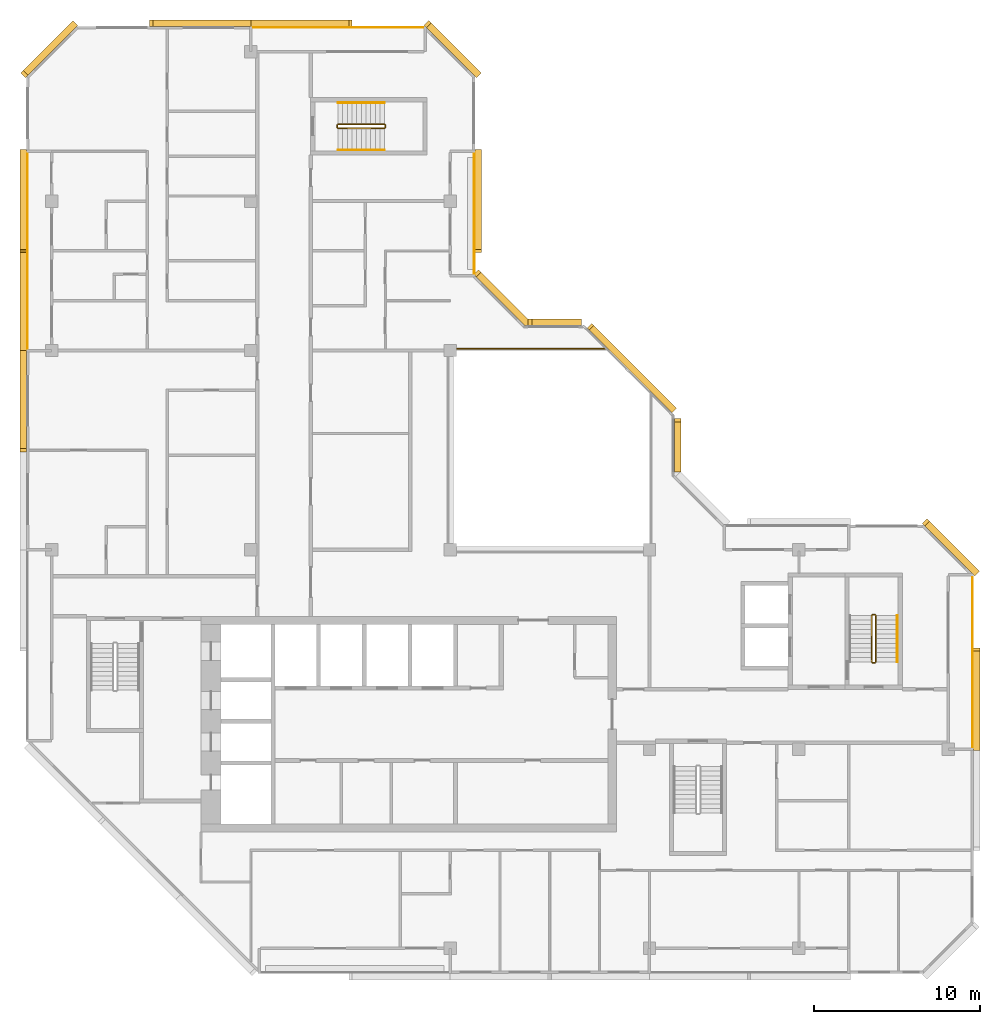
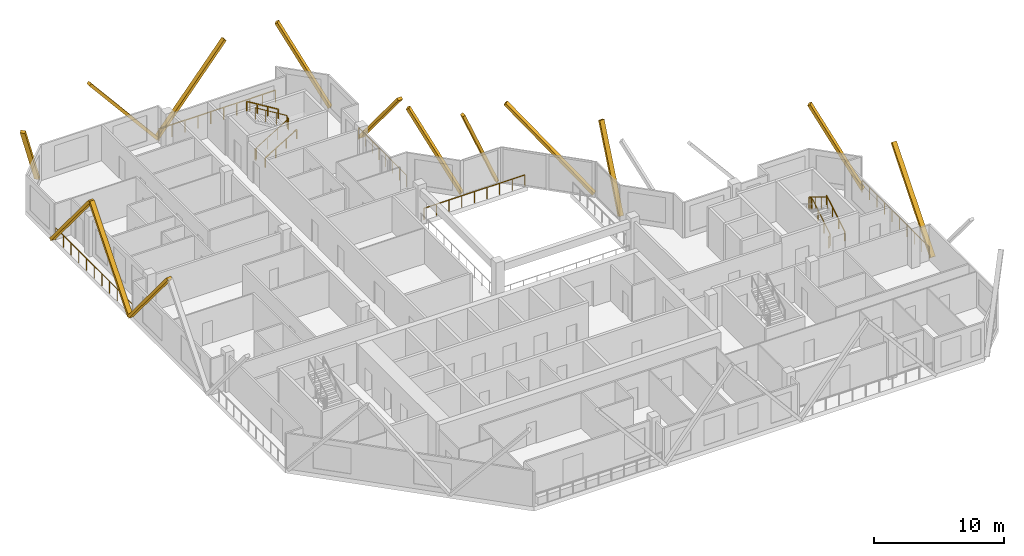
# One storey, part 12 of 12: 14 coverings, 10 railings.
"""IFC4 building model written with IfcOpenShell, lengths in metres."""

from ifc_helpers import new_model, si_unit, direction, frame, origin, origin_2d, place, context, subcontext, project, spatial, rectangle, extrude, material, material_profile, profile_set, type_object, element, save


model = new_model("IFC4")

# Units and contexts
model_context = context("Model", 3, precision=1e-05, world=origin(), true_north=direction((0.0, 1.0)))
body_context = subcontext(model_context, "Body", "Model", "MODEL_VIEW")
ifc_project = project(units=[si_unit("LENGTHUNIT", "METRE"), si_unit("AREAUNIT", "SQUARE_METRE"), si_unit("VOLUMEUNIT", "CUBIC_METRE"), si_unit("PLANEANGLEUNIT", "RADIAN"), si_unit("MASSUNIT", "GRAM", prefix="KILO")], contexts=[model_context])

# Site, building, storey
site_placement = place(None, origin())
site = spatial("IfcSite", under=ifc_project, at=site_placement, CompositionType="ELEMENT")
building_placement = place(site_placement, origin())
building = spatial("IfcBuilding", under=site, at=building_placement, Name="Chenar Terraces", CompositionType="ELEMENT")
storey_placement = place(building_placement, frame((0.0, 0.0, 346.39990234375)))
storey = spatial("IfcBuildingStorey", under=building, at=storey_placement, Name="L80", CompositionType="ELEMENT", Elevation=346.39990234375)

# Railings
ifc_material_1 = material(Name="Powder-coated steel", Category="steel")
railing_type_1 = type_object("IfcRailingType", Name="Guard 1100 steel rail with glass infill", PredefinedType="GUARDRAIL", material=ifc_material_1)
railing_1_placement = place(storey_placement, frame((24.425048828125, 36.10009765625, 0.0)))
element("IfcRailing", 1, at=railing_1_placement, inside=storey, type_object=railing_type_1, Name="Guard L80-2", PredefinedType="GUARDRAIL", context=body_context, shape_type="SweptSolid", body=[
    extrude(rectangle(XDim=0.06005859375, YDim=0.06005859375, at=origin_2d()), frame((0.0, 0.0, 1.070068359375), z_axis=(1.0, 0.0, 0.0), x_axis=(0.0, 1.0, 0.0)), (0.0, 0.0, 1.0), 8.974853515625),
    extrude(rectangle(XDim=0.050048828125, YDim=0.050048828125, at=origin_2d()), origin(), (0.0, 0.0, 1.0), 1.0400390625),
    extrude(rectangle(XDim=0.050048828125, YDim=0.050048828125, at=origin_2d()), frame((1.121826171875, 0.0, 0.0)), (0.0, 0.0, 1.0), 1.0400390625),
    extrude(rectangle(XDim=0.050048828125, YDim=0.050048828125, at=origin_2d()), frame((2.24365234375, 0.0, 0.0)), (0.0, 0.0, 1.0), 1.0400390625),
    extrude(rectangle(XDim=0.050048828125, YDim=0.050048828125, at=origin_2d()), frame((3.365478515625, 0.0, 0.0)), (0.0, 0.0, 1.0), 1.0400390625),
    extrude(rectangle(XDim=0.050048828125, YDim=0.050048828125, at=origin_2d()), frame((4.4873046875, 0.0, 0.0)), (0.0, 0.0, 1.0), 1.0400390625),
    extrude(rectangle(XDim=0.050048828125, YDim=0.050048828125, at=origin_2d()), frame((5.609375, 0.0, 0.0)), (0.0, 0.0, 1.0), 1.0400390625),
    extrude(rectangle(XDim=0.050048828125, YDim=0.050048828125, at=origin_2d()), frame((6.731201171875, 0.0, 0.0)), (0.0, 0.0, 1.0), 1.0400390625),
    extrude(rectangle(XDim=0.050048828125, YDim=0.050048828125, at=origin_2d()), frame((7.85302734375, 0.0, 0.0)), (0.0, 0.0, 1.0), 1.0400390625),
    extrude(rectangle(XDim=0.050048828125, YDim=0.050048828125, at=origin_2d()), frame((8.974853515625, 0.0, 0.0)), (0.0, 0.0, 1.0), 1.0400390625),
])
ifc_material_2 = material(Name="Stainless steel and glass", Category="steel")
railing_type_2 = type_object("IfcRailingType", Name="Loggia guard 1150", PredefinedType="GUARDRAIL", material=ifc_material_2)
railing_2_placement = place(storey_placement, frame((25.449951171875, 40.574951171875, 0.0)))
element("IfcRailing", 2, at=railing_2_placement, inside=storey, type_object=railing_type_2, Name="Loggia guard", PredefinedType="GUARDRAIL", context=body_context, shape_type="SweptSolid", body=[
    extrude(rectangle(XDim=0.048095703125, YDim=0.048095703125, at=origin_2d()), frame((0.0, 0.0, 1.1259765625), z_axis=(0.0, 1.0, 0.0), x_axis=(-1.0, 0.0, 0.0)), (0.0, 0.0, 1.0), 7.35009765625),
    extrude(rectangle(XDim=0.0419921875, YDim=0.0419921875, at=origin_2d()), origin(), (0.0, 0.0, 1.0), 1.101806640625),
    extrude(rectangle(XDim=0.0419921875, YDim=0.0419921875, at=origin_2d()), frame((0.0, 1.050048828125, 0.0)), (0.0, 0.0, 1.0), 1.101806640625),
    extrude(rectangle(XDim=0.0419921875, YDim=0.0419921875, at=origin_2d()), frame((0.0, 2.10009765625, 0.0)), (0.0, 0.0, 1.0), 1.101806640625),
    extrude(rectangle(XDim=0.0419921875, YDim=0.0419921875, at=origin_2d()), frame((0.0, 3.150146484375, 0.0)), (0.0, 0.0, 1.0), 1.101806640625),
    extrude(rectangle(XDim=0.0419921875, YDim=0.0419921875, at=origin_2d()), frame((0.0, 4.199951171875, 0.0)), (0.0, 0.0, 1.0), 1.101806640625),
    extrude(rectangle(XDim=0.0419921875, YDim=0.0419921875, at=origin_2d()), frame((0.0, 5.25, 0.0)), (0.0, 0.0, 1.0), 1.101806640625),
    extrude(rectangle(XDim=0.0419921875, YDim=0.0419921875, at=origin_2d()), frame((0.0, 6.300048828125, 0.0)), (0.0, 0.0, 1.0), 1.101806640625),
    extrude(rectangle(XDim=0.0419921875, YDim=0.0419921875, at=origin_2d()), frame((0.0, 7.35009765625, 0.0)), (0.0, 0.0, 1.0), 1.101806640625),
])
railing_3_placement = place(storey_placement, frame((55.449951171875, 12.074951171875, 0.0)))
element("IfcRailing", 3, at=railing_3_placement, inside=storey, type_object=railing_type_2, Name="Loggia guard", PredefinedType="GUARDRAIL", context=body_context, shape_type="SweptSolid", body=[
    extrude(rectangle(XDim=0.048095703125, YDim=0.048095703125, at=origin_2d()), frame((0.0, 0.0, 1.1259765625), z_axis=(0.0, 1.0, 0.0), x_axis=(-1.0, 0.0, 0.0)), (0.0, 0.0, 1.0), 10.35009765625),
    extrude(rectangle(XDim=0.0419921875, YDim=0.0419921875, at=origin_2d()), origin(), (0.0, 0.0, 1.0), 1.101806640625),
    extrude(rectangle(XDim=0.0419921875, YDim=0.0419921875, at=origin_2d()), frame((0.0, 1.14990234375, 0.0)), (0.0, 0.0, 1.0), 1.101806640625),
    extrude(rectangle(XDim=0.0419921875, YDim=0.0419921875, at=origin_2d()), frame((0.0, 2.300048828125, 0.0)), (0.0, 0.0, 1.0), 1.101806640625),
    extrude(rectangle(XDim=0.0419921875, YDim=0.0419921875, at=origin_2d()), frame((0.0, 3.449951171875, 0.0)), (0.0, 0.0, 1.0), 1.101806640625),
    extrude(rectangle(XDim=0.0419921875, YDim=0.0419921875, at=origin_2d()), frame((0.0, 4.60009765625, 0.0)), (0.0, 0.0, 1.0), 1.101806640625),
    extrude(rectangle(XDim=0.0419921875, YDim=0.0419921875, at=origin_2d()), frame((0.0, 5.75, 0.0)), (0.0, 0.0, 1.0), 1.101806640625),
    extrude(rectangle(XDim=0.0419921875, YDim=0.0419921875, at=origin_2d()), frame((0.0, 6.900146484375, 0.0)), (0.0, 0.0, 1.0), 1.101806640625),
    extrude(rectangle(XDim=0.0419921875, YDim=0.0419921875, at=origin_2d()), frame((0.0, 8.050048828125, 0.0)), (0.0, 0.0, 1.0), 1.101806640625),
    extrude(rectangle(XDim=0.0419921875, YDim=0.0419921875, at=origin_2d()), frame((0.0, 9.2001953125, 0.0)), (0.0, 0.0, 1.0), 1.101806640625),
    extrude(rectangle(XDim=0.0419921875, YDim=0.0419921875, at=origin_2d()), frame((0.0, 10.35009765625, 0.0)), (0.0, 0.0, 1.0), 1.101806640625),
])
railing_4_placement = place(storey_placement, frame((22.425048828125, 55.449951171875, 0.0)))
element("IfcRailing", 4, at=railing_4_placement, inside=storey, type_object=railing_type_2, Name="Loggia guard", PredefinedType="GUARDRAIL", context=body_context, shape_type="SweptSolid", body=[
    extrude(rectangle(XDim=0.048095703125, YDim=0.048095703125, at=origin_2d()), frame((0.0, 0.0, 1.1259765625), z_axis=(-1.0, 0.0, 0.0), x_axis=(0.0, -1.0, 0.0)), (0.0, 0.0, 1.0), 10.35009765625),
    extrude(rectangle(XDim=0.0419921875, YDim=0.0419921875, at=origin_2d()), origin(), (0.0, 0.0, 1.0), 1.101806640625),
    extrude(rectangle(XDim=0.0419921875, YDim=0.0419921875, at=origin_2d()), frame((-1.14990234375, 0.0, 0.0)), (0.0, 0.0, 1.0), 1.101806640625),
    extrude(rectangle(XDim=0.0419921875, YDim=0.0419921875, at=origin_2d()), frame((-2.300048828125, 0.0, 0.0)), (0.0, 0.0, 1.0), 1.101806640625),
    extrude(rectangle(XDim=0.0419921875, YDim=0.0419921875, at=origin_2d()), frame((-3.449951171875, 0.0, 0.0)), (0.0, 0.0, 1.0), 1.101806640625),
    extrude(rectangle(XDim=0.0419921875, YDim=0.0419921875, at=origin_2d()), frame((-4.60009765625, 0.0, 0.0)), (0.0, 0.0, 1.0), 1.101806640625),
    extrude(rectangle(XDim=0.0419921875, YDim=0.0419921875, at=origin_2d()), frame((-5.75, 0.0, 0.0)), (0.0, 0.0, 1.0), 1.101806640625),
    extrude(rectangle(XDim=0.0419921875, YDim=0.0419921875, at=origin_2d()), frame((-6.900146484375, 0.0, 0.0)), (0.0, 0.0, 1.0), 1.101806640625),
    extrude(rectangle(XDim=0.0419921875, YDim=0.0419921875, at=origin_2d()), frame((-8.050048828125, 0.0, 0.0)), (0.0, 0.0, 1.0), 1.101806640625),
    extrude(rectangle(XDim=0.0419921875, YDim=0.0419921875, at=origin_2d()), frame((-9.2001953125, 0.0, 0.0)), (0.0, 0.0, 1.0), 1.101806640625),
    extrude(rectangle(XDim=0.0419921875, YDim=0.0419921875, at=origin_2d()), frame((-10.35009765625, 0.0, 0.0)), (0.0, 0.0, 1.0), 1.101806640625),
])
railing_5_placement = place(storey_placement, frame((-1.449951171875, 47.925048828125, 0.0)))
element("IfcRailing", 5, at=railing_5_placement, inside=storey, type_object=railing_type_2, Name="Loggia guard", PredefinedType="GUARDRAIL", context=body_context, shape_type="SweptSolid", body=[
    extrude(rectangle(XDim=0.048095703125, YDim=0.048095703125, at=origin_2d()), frame((0.0, 0.0, 1.1259765625), z_axis=(0.0, -1.0, 0.0), x_axis=(1.0, 0.0, 0.0)), (0.0, 0.0, 1.0), 11.85009765625),
    extrude(rectangle(XDim=0.0419921875, YDim=0.0419921875, at=origin_2d()), origin(), (0.0, 0.0, 1.0), 1.101806640625),
    extrude(rectangle(XDim=0.0419921875, YDim=0.0419921875, at=origin_2d()), frame((0.0, -1.18505859375, 0.0)), (0.0, 0.0, 1.0), 1.101806640625),
    extrude(rectangle(XDim=0.0419921875, YDim=0.0419921875, at=origin_2d()), frame((0.0, -2.3701171875, 0.0)), (0.0, 0.0, 1.0), 1.101806640625),
    extrude(rectangle(XDim=0.0419921875, YDim=0.0419921875, at=origin_2d()), frame((0.0, -3.554931640625, 0.0)), (0.0, 0.0, 1.0), 1.101806640625),
    extrude(rectangle(XDim=0.0419921875, YDim=0.0419921875, at=origin_2d()), frame((0.0, -4.739990234375, 0.0)), (0.0, 0.0, 1.0), 1.101806640625),
    extrude(rectangle(XDim=0.0419921875, YDim=0.0419921875, at=origin_2d()), frame((0.0, -5.925048828125, 0.0)), (0.0, 0.0, 1.0), 1.101806640625),
    extrude(rectangle(XDim=0.0419921875, YDim=0.0419921875, at=origin_2d()), frame((0.0, -7.110107421875, 0.0)), (0.0, 0.0, 1.0), 1.101806640625),
    extrude(rectangle(XDim=0.0419921875, YDim=0.0419921875, at=origin_2d()), frame((0.0, -8.295166015625, 0.0)), (0.0, 0.0, 1.0), 1.101806640625),
    extrude(rectangle(XDim=0.0419921875, YDim=0.0419921875, at=origin_2d()), frame((0.0, -9.47998046875, 0.0)), (0.0, 0.0, 1.0), 1.101806640625),
    extrude(rectangle(XDim=0.0419921875, YDim=0.0419921875, at=origin_2d()), frame((0.0, -10.6650390625, 0.0)), (0.0, 0.0, 1.0), 1.101806640625),
    extrude(rectangle(XDim=0.0419921875, YDim=0.0419921875, at=origin_2d()), frame((0.0, -11.85009765625, 0.0)), (0.0, 0.0, 1.0), 1.101806640625),
])
ifc_material_3 = material(Name="Powder-coated steel", Category="steel")
railing_type_3 = type_object("IfcRailingType", Name="Stair guard 1100", PredefinedType="GUARDRAIL", material=ifc_material_3)
railing_6_placement = place(storey_placement, frame((49.375, 17.25, 3.75)))
element("IfcRailing", 6, at=railing_6_placement, inside=storey, type_object=railing_type_3, Name="L80 ST3 stair guard 1", PredefinedType="GUARDRAIL", context=body_context, shape_type="SweptSolid", body=[
    extrude(rectangle(XDim=0.048095703125, YDim=0.048095703125, at=origin_2d()), frame((0.0, 0.0, 1.076171875), z_axis=(0.0, 0.854202870247, -0.519939858505), x_axis=(-1.0, 0.0, 0.0)), (0.0, 0.0, 1.0), 3.278076171875),
    extrude(rectangle(XDim=0.048095703125, YDim=0.048095703125, at=origin_2d()), frame((0.0, 2.800048828125, -0.62841796875), z_axis=(0.270899902878, 0.270899902878, -0.923702595667), x_axis=(-0.707106781187, 0.707106781187, 0.0)), (0.0, 0.0, 1.0), 0.184814453125),
    extrude(rectangle(XDim=0.048095703125, YDim=0.048095703125, at=origin_2d()), frame((0.050048828125, 2.85009765625, -0.798828125), z_axis=(1.0, 0.0, 0.0), x_axis=(0.0, 1.0, 0.0)), (0.0, 0.0, 1.0), 0.14990234375),
    extrude(rectangle(XDim=0.048095703125, YDim=0.048095703125, at=origin_2d()), frame((0.199951171875, 2.85009765625, -0.798828125), z_axis=(0.707106781187, -0.707106781187, 0.0), x_axis=(0.707106781187, 0.707106781187, 0.0)), (0.0, 0.0, 1.0), 0.07080078125),
    extrude(rectangle(XDim=0.048095703125, YDim=0.048095703125, at=origin_2d()), frame((0.25, 2.800048828125, -0.798828125), z_axis=(0.0, -0.854202870247, -0.519939858505), x_axis=(1.0, 0.0, 0.0)), (0.0, 0.0, 1.0), 3.278076171875),
    extrude(rectangle(XDim=0.048095703125, YDim=0.048095703125, at=origin_2d()), frame((0.25, 0.0, -2.50341796875), z_axis=(-0.270899902878, -0.270899902878, -0.923702595667), x_axis=(0.707106781187, -0.707106781187, 0.0)), (0.0, 0.0, 1.0), 0.184814453125),
    extrude(rectangle(XDim=0.048095703125, YDim=0.048095703125, at=origin_2d()), frame((0.199951171875, -0.050048828125, -2.673828125), z_axis=(-1.0, 0.0, 0.0), x_axis=(0.0, -1.0, 0.0)), (0.0, 0.0, 1.0), 0.14990234375),
    extrude(rectangle(XDim=0.0419921875, YDim=0.0419921875, at=origin_2d()), origin(), (0.0, 0.0, 1.0), 1.052001953125),
    extrude(rectangle(XDim=0.0419921875, YDim=0.0419921875, at=origin_2d()), frame((0.0, 0.933349609375, -0.568115234375)), (0.0, 0.0, 1.0), 1.052001953125),
    extrude(rectangle(XDim=0.0419921875, YDim=0.0419921875, at=origin_2d()), frame((0.0, 1.86669921875, -1.13623046875)), (0.0, 0.0, 1.0), 1.052001953125),
    extrude(rectangle(XDim=0.0419921875, YDim=0.0419921875, at=origin_2d()), frame((0.0, 2.800048828125, -1.704345703125)), (0.0, 0.0, 1.0), 1.052001953125),
    extrude(rectangle(XDim=0.0419921875, YDim=0.0419921875, at=origin_2d()), frame((0.050048828125, 2.85009765625, -1.875)), (0.0, 0.0, 1.0), 1.052001953125),
    extrude(rectangle(XDim=0.0419921875, YDim=0.0419921875, at=origin_2d()), frame((0.199951171875, 2.85009765625, -1.875)), (0.0, 0.0, 1.0), 1.052001953125),
    extrude(rectangle(XDim=0.0419921875, YDim=0.0419921875, at=origin_2d()), frame((0.25, 2.800048828125, -1.875)), (0.0, 0.0, 1.0), 1.052001953125),
    extrude(rectangle(XDim=0.0419921875, YDim=0.0419921875, at=origin_2d()), frame((0.25, 1.86669921875, -2.443115234375)), (0.0, 0.0, 1.0), 1.052001953125),
    extrude(rectangle(XDim=0.0419921875, YDim=0.0419921875, at=origin_2d()), frame((0.25, 0.933349609375, -3.01123046875)), (0.0, 0.0, 1.0), 1.052001953125),
    extrude(rectangle(XDim=0.0419921875, YDim=0.0419921875, at=origin_2d()), frame((0.25, 0.0, -3.579345703125)), (0.0, 0.0, 1.0), 1.052001953125),
    extrude(rectangle(XDim=0.0419921875, YDim=0.0419921875, at=origin_2d()), frame((0.199951171875, -0.050048828125, -3.75)), (0.0, 0.0, 1.0), 1.052001953125),
    extrude(rectangle(XDim=0.0419921875, YDim=0.0419921875, at=origin_2d()), frame((0.050048828125, -0.050048828125, -3.75)), (0.0, 0.0, 1.0), 1.052001953125),
])
railing_7_placement = place(storey_placement, frame((17.25, 49.625, 3.75)))
element("IfcRailing", 7, at=railing_7_placement, inside=storey, type_object=railing_type_3, Name="L80 ST4 stair guard 1", PredefinedType="GUARDRAIL", context=body_context, shape_type="SweptSolid", body=[
    extrude(rectangle(XDim=0.048095703125, YDim=0.048095703125, at=origin_2d()), frame((0.0, 0.0, 1.076171875), z_axis=(0.854202870247, 0.0, -0.519939858505), x_axis=(0.0, 1.0, 0.0)), (0.0, 0.0, 1.0), 3.278076171875),
    extrude(rectangle(XDim=0.048095703125, YDim=0.048095703125, at=origin_2d()), frame((2.800048828125, 0.0, -0.62841796875), z_axis=(0.270899902878, -0.270899902878, -0.923702595667), x_axis=(0.707106781187, 0.707106781187, 0.0)), (0.0, 0.0, 1.0), 0.184814453125),
    extrude(rectangle(XDim=0.048095703125, YDim=0.048095703125, at=origin_2d()), frame((2.85009765625, -0.050048828125, -0.798828125), z_axis=(0.0, -1.0, 0.0), x_axis=(1.0, 0.0, 0.0)), (0.0, 0.0, 1.0), 0.14990234375),
    extrude(rectangle(XDim=0.048095703125, YDim=0.048095703125, at=origin_2d()), frame((2.85009765625, -0.199951171875, -0.798828125), z_axis=(-0.707106781187, -0.707106781187, 0.0), x_axis=(0.707106781187, -0.707106781187, 0.0)), (0.0, 0.0, 1.0), 0.07080078125),
    extrude(rectangle(XDim=0.048095703125, YDim=0.048095703125, at=origin_2d()), frame((2.800048828125, -0.25, -0.798828125), z_axis=(-0.854202870247, 0.0, -0.519939858505), x_axis=(0.0, -1.0, 0.0)), (0.0, 0.0, 1.0), 3.278076171875),
    extrude(rectangle(XDim=0.048095703125, YDim=0.048095703125, at=origin_2d()), frame((0.0, -0.25, -2.50341796875), z_axis=(-0.270899902878, 0.270899902878, -0.923702595667), x_axis=(-0.707106781187, -0.707106781187, 0.0)), (0.0, 0.0, 1.0), 0.184814453125),
    extrude(rectangle(XDim=0.048095703125, YDim=0.048095703125, at=origin_2d()), frame((-0.050048828125, -0.199951171875, -2.673828125), z_axis=(0.0, 1.0, 0.0), x_axis=(-1.0, 0.0, 0.0)), (0.0, 0.0, 1.0), 0.14990234375),
    extrude(rectangle(XDim=0.0419921875, YDim=0.0419921875, at=origin_2d()), origin(), (0.0, 0.0, 1.0), 1.052001953125),
    extrude(rectangle(XDim=0.0419921875, YDim=0.0419921875, at=origin_2d()), frame((0.933349609375, 0.0, -0.568115234375)), (0.0, 0.0, 1.0), 1.052001953125),
    extrude(rectangle(XDim=0.0419921875, YDim=0.0419921875, at=origin_2d()), frame((1.86669921875, 0.0, -1.13623046875)), (0.0, 0.0, 1.0), 1.052001953125),
    extrude(rectangle(XDim=0.0419921875, YDim=0.0419921875, at=origin_2d()), frame((2.800048828125, 0.0, -1.704345703125)), (0.0, 0.0, 1.0), 1.052001953125),
    extrude(rectangle(XDim=0.0419921875, YDim=0.0419921875, at=origin_2d()), frame((2.85009765625, -0.050048828125, -1.875)), (0.0, 0.0, 1.0), 1.052001953125),
    extrude(rectangle(XDim=0.0419921875, YDim=0.0419921875, at=origin_2d()), frame((2.85009765625, -0.199951171875, -1.875)), (0.0, 0.0, 1.0), 1.052001953125),
    extrude(rectangle(XDim=0.0419921875, YDim=0.0419921875, at=origin_2d()), frame((2.800048828125, -0.25, -1.875)), (0.0, 0.0, 1.0), 1.052001953125),
    extrude(rectangle(XDim=0.0419921875, YDim=0.0419921875, at=origin_2d()), frame((1.86669921875, -0.25, -2.443115234375)), (0.0, 0.0, 1.0), 1.052001953125),
    extrude(rectangle(XDim=0.0419921875, YDim=0.0419921875, at=origin_2d()), frame((0.933349609375, -0.25, -3.01123046875)), (0.0, 0.0, 1.0), 1.052001953125),
    extrude(rectangle(XDim=0.0419921875, YDim=0.0419921875, at=origin_2d()), frame((0.0, -0.25, -3.579345703125)), (0.0, 0.0, 1.0), 1.052001953125),
    extrude(rectangle(XDim=0.0419921875, YDim=0.0419921875, at=origin_2d()), frame((-0.050048828125, -0.199951171875, -3.75)), (0.0, 0.0, 1.0), 1.052001953125),
    extrude(rectangle(XDim=0.0419921875, YDim=0.0419921875, at=origin_2d()), frame((-0.050048828125, -0.050048828125, -3.75)), (0.0, 0.0, 1.0), 1.052001953125),
])
ifc_material_4 = material(Name="Powder-coated steel", Category="steel")
railing_type_4 = type_object("IfcRailingType", Name="Stair handrail 900", PredefinedType="HANDRAIL", material=ifc_material_4)
railing_8_placement = place(storey_placement, frame((50.925048828125, 17.25, 0.170654296875)))
element("IfcRailing", 8, at=railing_8_placement, inside=storey, type_object=railing_type_4, Name="L80 ST3 stair handrail 1", PredefinedType="HANDRAIL", context=body_context, shape_type="SweptSolid", body=[
    extrude(rectangle(XDim=0.048095703125, YDim=0.048095703125, at=origin_2d()), frame((0.0, 0.0, 0.8759765625), z_axis=(0.0, 0.854202870247, 0.519939858505), x_axis=(-1.0, 0.0, 0.0)), (0.0, 0.0, 1.0), 3.278076171875),
    extrude(rectangle(XDim=0.0419921875, YDim=0.0419921875, at=origin_2d()), origin(), (0.0, 0.0, 1.0), 0.851806640625),
    extrude(rectangle(XDim=0.0419921875, YDim=0.0419921875, at=origin_2d()), frame((0.0, 0.933349609375, 0.568115234375)), (0.0, 0.0, 1.0), 0.851806640625),
    extrude(rectangle(XDim=0.0419921875, YDim=0.0419921875, at=origin_2d()), frame((0.0, 1.86669921875, 1.13623046875)), (0.0, 0.0, 1.0), 0.851806640625),
    extrude(rectangle(XDim=0.0419921875, YDim=0.0419921875, at=origin_2d()), frame((0.0, 2.800048828125, 1.704345703125)), (0.0, 0.0, 1.0), 0.851806640625),
])
railing_9_placement = place(storey_placement, frame((17.25, 48.074951171875, 0.170654296875)))
element("IfcRailing", 9, at=railing_9_placement, inside=storey, type_object=railing_type_4, Name="L80 ST4 stair handrail 1", PredefinedType="HANDRAIL", context=body_context, shape_type="SweptSolid", body=[
    extrude(rectangle(XDim=0.048095703125, YDim=0.048095703125, at=origin_2d()), frame((0.0, 0.0, 0.8759765625), z_axis=(0.854202870247, 0.0, 0.519939858505), x_axis=(0.0, 1.0, 0.0)), (0.0, 0.0, 1.0), 3.278076171875),
    extrude(rectangle(XDim=0.0419921875, YDim=0.0419921875, at=origin_2d()), origin(), (0.0, 0.0, 1.0), 0.851806640625),
    extrude(rectangle(XDim=0.0419921875, YDim=0.0419921875, at=origin_2d()), frame((0.933349609375, 0.0, 0.568115234375)), (0.0, 0.0, 1.0), 0.851806640625),
    extrude(rectangle(XDim=0.0419921875, YDim=0.0419921875, at=origin_2d()), frame((1.86669921875, 0.0, 1.13623046875)), (0.0, 0.0, 1.0), 0.851806640625),
    extrude(rectangle(XDim=0.0419921875, YDim=0.0419921875, at=origin_2d()), frame((2.800048828125, 0.0, 1.704345703125)), (0.0, 0.0, 1.0), 0.851806640625),
])
railing_10_placement = place(storey_placement, frame((20.050048828125, 50.925048828125, 2.045654296875)))
element("IfcRailing", 10, at=railing_10_placement, inside=storey, type_object=railing_type_4, Name="L80 ST4 stair handrail 2", PredefinedType="HANDRAIL", context=body_context, shape_type="SweptSolid", body=[
    extrude(rectangle(XDim=0.048095703125, YDim=0.048095703125, at=origin_2d()), frame((0.0, 0.0, 0.8759765625), z_axis=(-0.854202870247, 0.0, 0.519939858505), x_axis=(0.0, -1.0, 0.0)), (0.0, 0.0, 1.0), 3.278076171875),
    extrude(rectangle(XDim=0.0419921875, YDim=0.0419921875, at=origin_2d()), origin(), (0.0, 0.0, 1.0), 0.851806640625),
    extrude(rectangle(XDim=0.0419921875, YDim=0.0419921875, at=origin_2d()), frame((-0.933349609375, 0.0, 0.568115234375)), (0.0, 0.0, 1.0), 0.851806640625),
    extrude(rectangle(XDim=0.0419921875, YDim=0.0419921875, at=origin_2d()), frame((-1.86669921875, 0.0, 1.13623046875)), (0.0, 0.0, 1.0), 0.851806640625),
    extrude(rectangle(XDim=0.0419921875, YDim=0.0419921875, at=origin_2d()), frame((-2.800048828125, 0.0, 1.704345703125)), (0.0, 0.0, 1.0), 0.851806640625),
])

# Coverings
ifc_material_5 = material(Name="Terracotta", Category="masonry")
ifc_material_profile = material_profile(ifc_material_5, rectangle(XDim=0.39990234375, YDim=0.25, at=origin_2d()), Name="Terracotta baguette 400 x 250")
ifc_profile_set = profile_set([ifc_material_profile], Name="Terracotta")
covering_type = type_object("IfcCoveringType", Name="Terracotta baguette 400 x 250", PredefinedType="CLADDING", material=ifc_profile_set)
covering_1_placement = place(storey_placement, frame((37.699951171875, 28.800048828125, 0.150146484375), z_axis=(0.0, 0.384617607118, 0.923075997031), x_axis=(-1.0, 0.0, 0.0)))
element("IfcCovering", 11, at=covering_1_placement, inside=storey, type_object=covering_type, Name="Terracotta baguette", PredefinedType="CLADDING", context=body_context, shape_type="SweptSolid", body=[
    extrude(rectangle(XDim=0.39990234375, YDim=0.25, at=origin_2d()), origin(), (0.0, 0.0, 1.0), 7.800048828125),
])
covering_2_placement = place(storey_placement, frame((37.42919921875, 32.45361328125, 0.150146484375), z_axis=(-0.494222393737, 0.4942466441, 0.715167449151), x_axis=(-0.707124128605, -0.707089433343, 0.0)))
element("IfcCovering", 12, at=covering_2_placement, inside=storey, type_object=covering_type, Name="Terracotta baguette", PredefinedType="CLADDING", context=body_context, shape_type="SweptSolid", body=[
    extrude(rectangle(XDim=0.39990234375, YDim=0.25, at=origin_2d()), origin(), (0.0, 0.0, 1.0), 10.0673828125),
])
covering_3_placement = place(storey_placement, frame((31.800048828125, 37.699951171875, 0.150146484375), z_axis=(-0.384617607118, 0.0, 0.923075997031), x_axis=(0.0, -1.0, 0.0)))
element("IfcCovering", 13, at=covering_3_placement, inside=storey, type_object=covering_type, Name="Terracotta baguette", PredefinedType="CLADDING", context=body_context, shape_type="SweptSolid", body=[
    extrude(rectangle(XDim=0.39990234375, YDim=0.25, at=origin_2d()), origin(), (0.0, 0.0, 1.0), 7.800048828125),
])
covering_4_placement = place(storey_placement, frame((28.641357421875, 37.641357421875, 0.150146484375), z_axis=(-0.358980886355, 0.358980886355, 0.861548284464), x_axis=(-0.707106781187, -0.707106781187, 0.0)))
element("IfcCovering", 14, at=covering_4_placement, inside=storey, type_object=covering_type, Name="Terracotta baguette", PredefinedType="CLADDING", context=body_context, shape_type="SweptSolid", body=[
    extrude(rectangle(XDim=0.39990234375, YDim=0.25, at=origin_2d()), origin(), (0.0, 0.0, 1.0), 8.35693359375),
])
covering_5_placement = place(storey_placement, frame((25.699951171875, 42.0, 7.35009765625), z_axis=(0.0, 0.640186961885, -0.768219144407), x_axis=(-1.0, 0.0, 0.0)))
element("IfcCovering", 15, at=covering_5_placement, inside=storey, type_object=covering_type, Name="Terracotta baguette", PredefinedType="CLADDING", context=body_context, shape_type="SweptSolid", body=[
    extrude(rectangle(XDim=0.39990234375, YDim=0.25, at=origin_2d()), origin(), (0.0, 0.0, 1.0), 9.372314453125),
])
covering_6_placement = place(storey_placement, frame((25.641357421875, 52.641357421875, 0.150146484375), z_axis=(-0.358980886355, 0.358980886355, 0.861548284464), x_axis=(-0.707106781187, -0.707106781187, 0.0)))
element("IfcCovering", 16, at=covering_6_placement, inside=storey, type_object=covering_type, Name="Terracotta baguette", PredefinedType="CLADDING", context=body_context, shape_type="SweptSolid", body=[
    extrude(rectangle(XDim=0.39990234375, YDim=0.25, at=origin_2d()), origin(), (0.0, 0.0, 1.0), 8.35693359375),
])
for number, where, z_axis, x_axis, name in (
    (17, (18.0, 55.699951171875, 7.35009765625), (-0.640186961885, 0.0, -0.768219144407), (0.0, -1.0, 0.0), "Terracotta baguette"),
    (18, (12.0, 55.699951171875, 0.150146484375), (-0.640186961885, 0.0, 0.768219144407), (0.0, -1.0, 0.0), "Terracotta baguette"),
):
    element("IfcCovering", number, at=place(storey_placement, frame(where, z_axis=z_axis, x_axis=x_axis)), inside=storey, type_object=covering_type, Name=name, PredefinedType="CLADDING", context=body_context, shape_type="SweptSolid", body=[
        extrude(rectangle(XDim=0.39990234375, YDim=0.25, at=origin_2d()), origin(), (0.0, 0.0, 1.0), 9.372314453125),
    ])
covering_7_placement = place(storey_placement, frame((1.358642578125, 55.641357421875, 0.150146484375), z_axis=(-0.358980886355, -0.358980886355, 0.861548284464), x_axis=(0.707106781187, -0.707106781187, 0.0)))
element("IfcCovering", 19, at=covering_7_placement, inside=storey, type_object=covering_type, Name="Terracotta baguette", PredefinedType="CLADDING", context=body_context, shape_type="SweptSolid", body=[
    extrude(rectangle(XDim=0.39990234375, YDim=0.25, at=origin_2d()), origin(), (0.0, 0.0, 1.0), 8.35693359375),
])
for number, where, z_axis, x_axis, name in (
    (20, (-1.699951171875, 48.0, 0.150146484375), (0.0, -0.640186961885, 0.768219144407), (1.0, 0.0, 0.0), "Terracotta baguette"),
    (21, (-1.699951171875, 42.0, 7.35009765625), (0.0, -0.640186961885, -0.768219144407), (1.0, 0.0, 0.0), "Terracotta baguette"),
    (22, (-1.699951171875, 36.0, 0.150146484375), (0.0, -0.640186961885, 0.768219144407), (1.0, 0.0, 0.0), "Terracotta baguette"),
    (23, (55.699951171875, 12.0, 0.150146484375), (0.0, 0.640186961885, 0.768219144407), (-1.0, 0.0, 0.0), "Terracotta baguette"),
):
    element("IfcCovering", number, at=place(storey_placement, frame(where, z_axis=z_axis, x_axis=x_axis)), inside=storey, type_object=covering_type, Name=name, PredefinedType="CLADDING", context=body_context, shape_type="SweptSolid", body=[
        extrude(rectangle(XDim=0.39990234375, YDim=0.25, at=origin_2d()), origin(), (0.0, 0.0, 1.0), 9.372314453125),
    ])
covering_8_placement = place(storey_placement, frame((55.641357421875, 22.641357421875, 0.150146484375), z_axis=(-0.358980886355, 0.358980886355, 0.861548284464), x_axis=(-0.707106781187, -0.707106781187, 0.0)))
element("IfcCovering", 24, at=covering_8_placement, inside=storey, type_object=covering_type, Name="Terracotta baguette", PredefinedType="CLADDING", context=body_context, shape_type="SweptSolid", body=[
    extrude(rectangle(XDim=0.39990234375, YDim=0.25, at=origin_2d()), origin(), (0.0, 0.0, 1.0), 8.35693359375),
])

save(model, "model.ifc")
